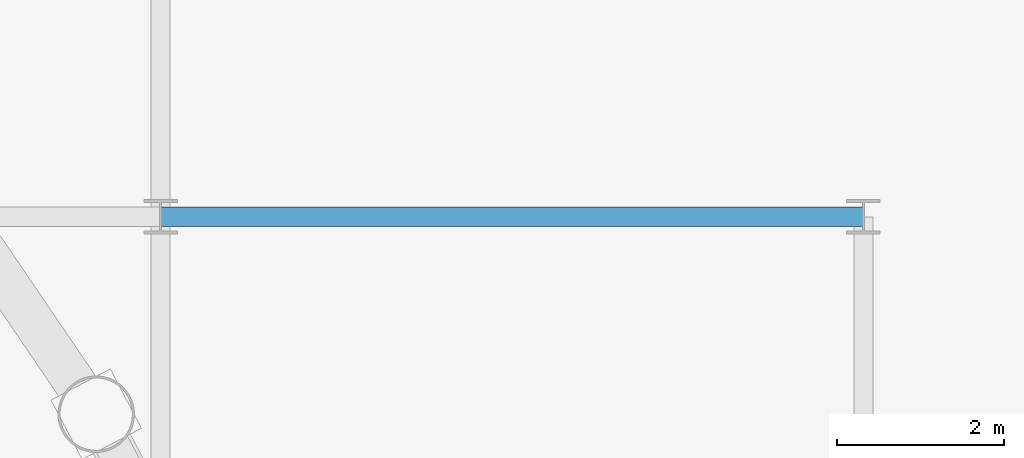
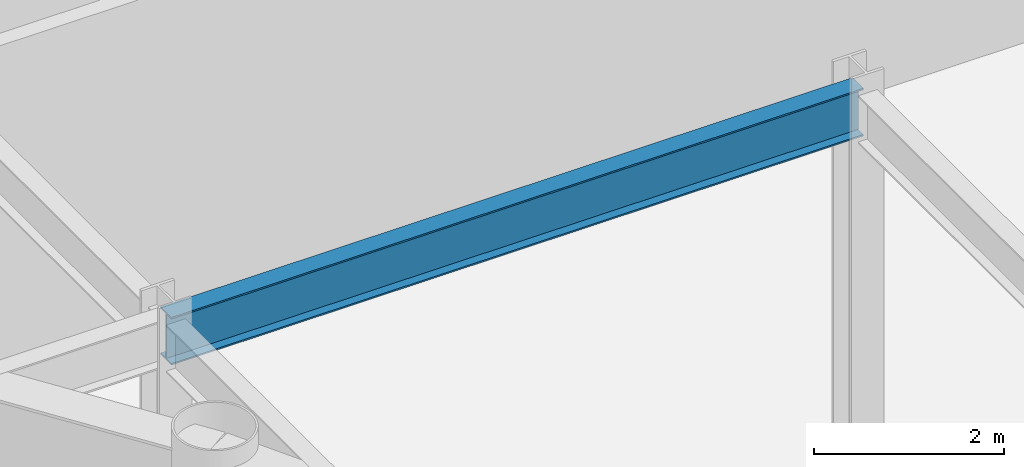
# One storey, part 20 of 43: 1 beam.
"""IFC4 building model written with IfcOpenShell, lengths in metres."""

from ifc_helpers import new_model, si_unit, direction, frame, origin, origin_2d, place, context, subcontext, project, spatial, i_section, extrude, material, material_profile, profile_set, type_object, element, save


model = new_model("IFC4")

# Units and contexts
model_context = context("Model", 3, precision=1e-05, world=origin(), true_north=direction((0.0, 1.0)))
body_context = subcontext(model_context, "Body", "Model", "MODEL_VIEW")
ifc_project = project(units=[si_unit("LENGTHUNIT", "METRE"), si_unit("AREAUNIT", "SQUARE_METRE"), si_unit("VOLUMEUNIT", "CUBIC_METRE"), si_unit("PLANEANGLEUNIT", "RADIAN"), si_unit("MASSUNIT", "GRAM", prefix="KILO")], contexts=[model_context])

# Site, building, storey
site_placement = place(None, origin())
site = spatial("IfcSite", under=ifc_project, at=site_placement, CompositionType="ELEMENT")
building_placement = place(site_placement, origin())
building = spatial("IfcBuilding", under=site, at=building_placement, Name="Orvanel Arch Residences", CompositionType="ELEMENT")
storey_placement = place(building_placement, frame((0.0, 0.0, 18.39990234375)))
storey = spatial("IfcBuildingStorey", under=building, at=storey_placement, Name="L04", CompositionType="ELEMENT", Elevation=18.39990234375)

# Beam
ifc_material = material(Name="Structural steel AS/NZS 3679.1 Grade 300 (300 MPa)", Category="steel")
ifc_material_profile = material_profile(ifc_material, i_section(OverallWidth=0.22900390625, OverallDepth=0.612060546875, WebThickness=0.011962890625, FlangeThickness=0.01953125, at=origin_2d()), Name="610UB125")
ifc_profile_set = profile_set([ifc_material_profile], Name="Structural steel AS/NZS 3679.1 Grade 300 (300 MPa)")
beam_type = type_object("IfcBeamType", Name="BG-610UB", PredefinedType="BEAM", material=ifc_profile_set)
beam_placement = place(storey_placement, frame((46.199951171875, 30.0, 4.654052734375), z_axis=(1.0, 0.0, 0.0), x_axis=(0.0, 1.0, 0.0)))
element("IfcBeam", 1, at=beam_placement, inside=storey, type_object=beam_type, Name="L04 BG-610UB beam", PredefinedType="BEAM", context=body_context, shape_type="SweptSolid", body=[
    extrude(i_section(OverallWidth=0.22900390625, OverallDepth=0.612060546875, WebThickness=0.011962890625, FlangeThickness=0.01953125, at=origin_2d()), origin(), (0.0, 0.0, 1.0), 8.400146484375),
])

save(model, "model.ifc")
